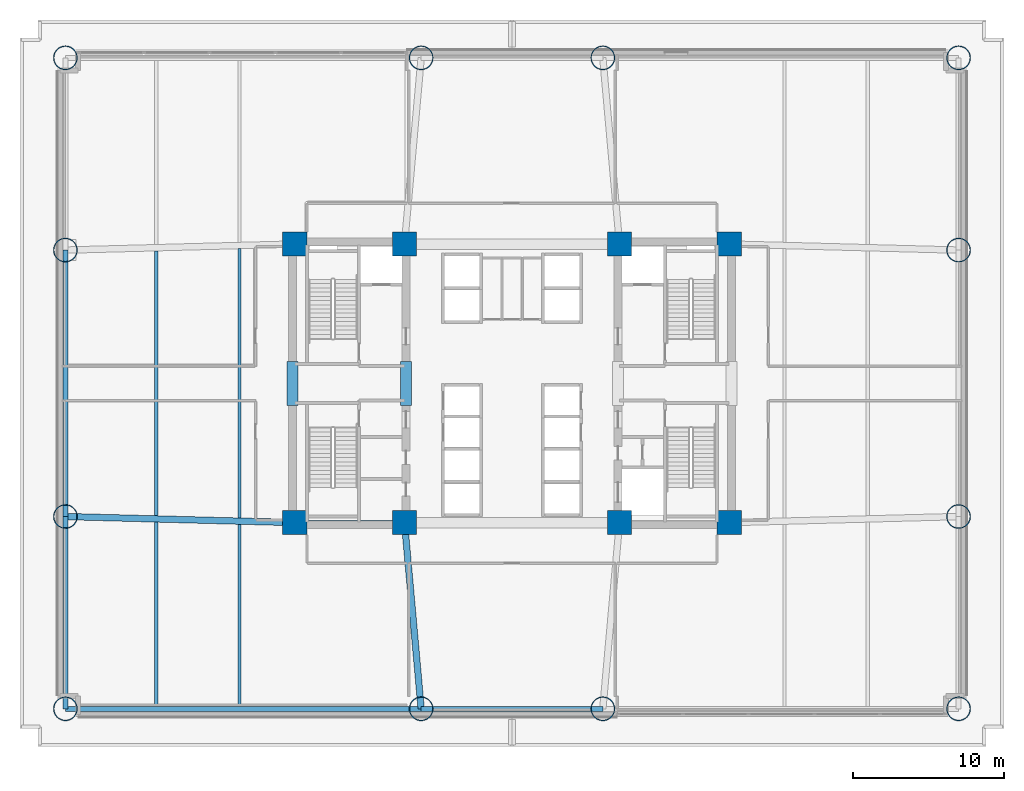
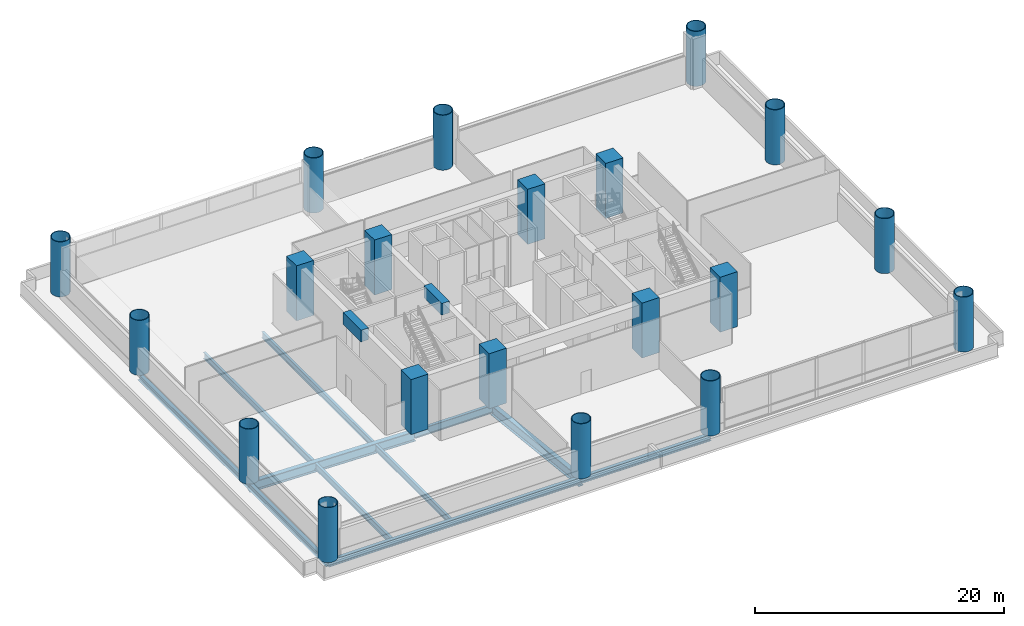
# One storey, part 1 of 12: 20 columns, 13 beams.
"""IFC4 building model written with IfcOpenShell, lengths in metres."""

from ifc_helpers import new_model, si_unit, direction, frame, origin, origin_2d, place, context, subcontext, project, spatial, rectangle, hollow_circle, i_section, extrude, source, transform, mapped, material, material_profile, profile_set, type_object, element, save


model = new_model("IFC4")

# Units and contexts
model_context = context("Model", 3, precision=1e-05, world=origin(), true_north=direction((0.0, 1.0)))
body_context = subcontext(model_context, "Body", "Model", "MODEL_VIEW")
ifc_project = project(units=[si_unit("LENGTHUNIT", "METRE"), si_unit("AREAUNIT", "SQUARE_METRE"), si_unit("VOLUMEUNIT", "CUBIC_METRE"), si_unit("PLANEANGLEUNIT", "RADIAN"), si_unit("MASSUNIT", "GRAM", prefix="KILO")], contexts=[model_context])

# Site, building, storey
site_placement = place(None, origin())
site = spatial("IfcSite", under=ifc_project, at=site_placement, CompositionType="ELEMENT")
building_placement = place(site_placement, origin())
building = spatial("IfcBuilding", under=site, at=building_placement, Name="Zahravan Cultural Tower", CompositionType="ELEMENT")
storey_placement = place(building_placement, frame((0.0, 0.0, 18.0)))
storey = spatial("IfcBuildingStorey", under=building, at=storey_placement, Name="L03", CompositionType="ELEMENT", Elevation=18.0)

# Columns
ifc_material_1 = material(Name="Concrete C60/75", Category="concrete")
ifc_material_profile_1 = material_profile(ifc_material_1, rectangle(XDim=1.60009765625, YDim=1.60009765625, at=origin_2d()), Name="RC1600X1600")
ifc_profile_set_1 = profile_set([ifc_material_profile_1], Name="Concrete C60/75")
column_type_1 = type_object("IfcColumnType", Name="COL-RC1600", PredefinedType="COLUMN", material=ifc_profile_set_1)
shared_shape_1 = source(origin(), body_context, "Body", "SweptSolid", [
    extrude(rectangle(XDim=1.60009765625, YDim=1.60009765625, at=origin_2d()), origin(), (0.0, 0.0, 1.0), 5.39990234375),
])
for number, where, z_axis, x_axis, name in (
    (1, (21.64990234375, 17.800048828125, 0.0), (0.0, 0.0, 1.0), (1.0, 0.0, 0.0), "L03 Column CC-W1"),
    (2, (28.89990234375, 17.800048828125, 0.0), (0.0, 0.0, 1.0), (1.0, 0.0, 0.0), "L03 Column CC-W2"),
    (3, (21.64990234375, 36.199951171875, 0.0), (0.0, 0.0, 1.0), (1.0, 0.0, 0.0), "L03 Column CC-W3"),
    (4, (28.89990234375, 36.199951171875, 0.0), (0.0, 0.0, 1.0), (1.0, 0.0, 0.0), "L03 Column CC-W4"),
    (5, (43.10009765625, 17.800048828125, 0.0), (0.0, 0.0, 1.0), (1.0, 0.0, 0.0), "L03 Column CC-E1"),
    (6, (50.35009765625, 17.800048828125, 0.0), (0.0, 0.0, 1.0), (1.0, 0.0, 0.0), "L03 Column CC-E2"),
    (7, (43.10009765625, 36.199951171875, 0.0), (0.0, 0.0, 1.0), (1.0, 0.0, 0.0), "L03 Column CC-E3"),
    (8, (50.35009765625, 36.199951171875, 0.0), (0.0, 0.0, 1.0), (1.0, 0.0, 0.0), "L03 Column CC-E4"),
):
    element("IfcColumn", number, at=place(storey_placement, frame(where, z_axis=z_axis, x_axis=x_axis)), inside=storey, type_object=column_type_1, Name=name, PredefinedType="COLUMN", context=body_context, shape_type="MappedRepresentation", body=[
        mapped(shared_shape_1, transform((0.0, 0.0, 0.0), x_axis=(1.0, 0.0, 0.0), y_axis=(0.0, 1.0, 0.0), z_axis=(0.0, 0.0, 1.0), scale=1.0)),
    ])
ifc_material_2 = material(Name="Steel ASTM A572 Grade 50", Category="steel")
ifc_material_profile_2 = material_profile(ifc_material_2, hollow_circle(Radius=0.800048828125, WallThickness=0.06005859375, at=origin_2d()), Name="CHS1600X60")
ifc_profile_set_2 = profile_set([ifc_material_profile_2], Name="Steel ASTM A572 Grade 50")
column_type_2 = type_object("IfcColumnType", Name="COL-STILT-1600", PredefinedType="COLUMN", material=ifc_profile_set_2)
shared_shape_2 = source(origin(), body_context, "Body", "SweptSolid", [
    extrude(hollow_circle(Radius=0.800048828125, WallThickness=0.06005859375, at=origin_2d()), origin(), (0.0, 0.0, 1.0), 5.39990234375),
])
for number, where, z_axis, x_axis, name in (
    (9, (6.5, 5.5, 0.0), (0.0, 0.0, 1.0), (1.0, 0.0, 0.0), "L03 Column PC-01"),
    (10, (30.0, 5.5, 0.0), (0.0, 0.0, 1.0), (1.0, 0.0, 0.0), "L03 Column PC-02"),
    (11, (42.0, 5.5, 0.0), (0.0, 0.0, 1.0), (1.0, 0.0, 0.0), "L03 Column PC-03"),
    (12, (65.5, 5.5, 0.0), (0.0, 0.0, 1.0), (1.0, 0.0, 0.0), "L03 Column PC-04"),
    (13, (6.5, 18.199951171875, 0.0), (0.0, 0.0, 1.0), (1.0, 0.0, 0.0), "L03 Column PC-05"),
    (14, (65.5, 18.199951171875, 0.0), (0.0, 0.0, 1.0), (1.0, 0.0, 0.0), "L03 Column PC-06"),
    (15, (6.5, 35.800048828125, 0.0), (0.0, 0.0, 1.0), (1.0, 0.0, 0.0), "L03 Column PC-07"),
    (16, (65.5, 35.800048828125, 0.0), (0.0, 0.0, 1.0), (1.0, 0.0, 0.0), "L03 Column PC-08"),
    (17, (6.5, 48.5, 0.0), (0.0, 0.0, 1.0), (1.0, 0.0, 0.0), "L03 Column PC-09"),
    (18, (30.0, 48.5, 0.0), (0.0, 0.0, 1.0), (1.0, 0.0, 0.0), "L03 Column PC-10"),
    (19, (42.0, 48.5, 0.0), (0.0, 0.0, 1.0), (1.0, 0.0, 0.0), "L03 Column PC-11"),
    (20, (65.5, 48.5, 0.0), (0.0, 0.0, 1.0), (1.0, 0.0, 0.0), "L03 Column PC-12"),
):
    element("IfcColumn", number, at=place(storey_placement, frame(where, z_axis=z_axis, x_axis=x_axis)), inside=storey, type_object=column_type_2, Name=name, PredefinedType="COLUMN", context=body_context, shape_type="MappedRepresentation", body=[
        mapped(shared_shape_2, transform((0.0, 0.0, 0.0), x_axis=(1.0, 0.0, 0.0), y_axis=(0.0, 1.0, 0.0), z_axis=(0.0, 0.0, 1.0), scale=1.0)),
    ])

# Beams
ifc_material_3 = material(Name="Concrete C50/60", Category="concrete")
ifc_material_profile_3 = material_profile(ifc_material_3, rectangle(XDim=0.699951171875, YDim=1.14990234375, at=origin_2d()), Name="RC700X1150")
ifc_profile_set_3 = profile_set([ifc_material_profile_3], Name="Concrete C50/60")
beam_type_1 = type_object("IfcBeamType", Name="BM-LN-RC700X1150", PredefinedType="LINTEL", material=ifc_profile_set_3)
shared_shape_3 = source(origin(), body_context, "Body", "SweptSolid", [
    extrude(rectangle(XDim=0.699951171875, YDim=1.14990234375, at=origin_2d()), origin(), (0.0, 0.0, 1.0), 2.89990234375),
])
for number, where, z_axis, x_axis, name in (
    (21, (21.5, 25.550048828125, 4.375), (0.0, 1.0, 0.0), (-1.0, 0.0, 0.0), "L03 Beam LN-L03-PWW"),
    (22, (29.0, 25.550048828125, 4.375), (0.0, 1.0, 0.0), (-1.0, 0.0, 0.0), "L03 Beam LN-L03-PWE"),
):
    element("IfcBeam", number, at=place(storey_placement, frame(where, z_axis=z_axis, x_axis=x_axis)), inside=storey, type_object=beam_type_1, Name=name, PredefinedType="LINTEL", context=body_context, shape_type="MappedRepresentation", body=[
        mapped(shared_shape_3, transform((0.0, 0.0, 0.0), x_axis=(1.0, 0.0, 0.0), y_axis=(0.0, 1.0, 0.0), z_axis=(0.0, 0.0, 1.0), scale=1.0)),
    ])
ifc_material_4 = material(Name="Steel ASTM A992 Grade 50", Category="steel")
ifc_material_profile_4 = material_profile(ifc_material_4, i_section(OverallWidth=0.26611328125, OverallDepth=0.780029296875, WebThickness=0.0166015625, FlangeThickness=0.030029296875, FilletRadius=0.01904296875, at=origin_2d()), Name="W30X148")
ifc_profile_set_4 = profile_set([ifc_material_profile_4], Name="Steel ASTM A992 Grade 50")
beam_type_2 = type_object("IfcBeamType", Name="BM-G-W30X148", PredefinedType="BEAM", material=ifc_profile_set_4)
shared_shape_4 = source(origin(), body_context, "Body", "SweptSolid", [
    extrude(i_section(OverallWidth=0.26611328125, OverallDepth=0.780029296875, WebThickness=0.0166015625, FlangeThickness=0.030029296875, FilletRadius=0.01904296875, at=origin_2d()), origin(), (0.0, 0.0, 1.0), 7.25),
])
beam_1_placement = place(storey_placement, frame((21.64990234375, 17.800048828125, -0.68994140625), z_axis=(1.0, 0.0, 0.0), x_axis=(0.0, 1.0, 0.0)))
element("IfcBeam", 23, at=beam_1_placement, inside=storey, type_object=beam_type_2, Name="L03 Beam BG-L03-01", PredefinedType="BEAM", context=body_context, shape_type="MappedRepresentation", body=[
    mapped(shared_shape_4, transform((0.0, 0.0, 0.0), x_axis=(1.0, 0.0, 0.0), y_axis=(0.0, 1.0, 0.0), z_axis=(0.0, 0.0, 1.0), scale=1.0)),
])
ifc_material_profile_5 = material_profile(ifc_material_4, i_section(OverallWidth=0.326904296875, OverallDepth=0.6220703125, WebThickness=0.015380859375, FlangeThickness=0.0244140625, FilletRadius=0.014892578125, at=origin_2d()), Name="W24X131")
ifc_profile_set_5 = profile_set([ifc_material_profile_5], Name="Steel ASTM A992 Grade 50")
beam_type_3 = type_object("IfcBeamType", Name="BM-SP-W24X131", PredefinedType="SPANDREL", material=ifc_profile_set_5)
shared_shape_5 = source(origin(), body_context, "Body", "SweptSolid", [
    extrude(i_section(OverallWidth=0.326904296875, OverallDepth=0.6220703125, WebThickness=0.015380859375, FlangeThickness=0.0244140625, FilletRadius=0.014892578125, at=origin_2d()), origin(), (0.0, 0.0, 1.0), 23.5),
])
beam_2_placement = place(storey_placement, frame((6.5, 5.5, -0.611083984375), z_axis=(1.0, 0.0, 0.0), x_axis=(0.0, 1.0, 0.0)))
element("IfcBeam", 24, at=beam_2_placement, inside=storey, type_object=beam_type_3, Name="L03 Beam BG-L03-07", PredefinedType="SPANDREL", context=body_context, shape_type="MappedRepresentation", body=[
    mapped(shared_shape_5, transform((0.0, 0.0, 0.0), x_axis=(1.0, 0.0, 0.0), y_axis=(0.0, 1.0, 0.0), z_axis=(0.0, 0.0, 1.0), scale=1.0)),
])
shared_shape_6 = source(origin(), body_context, "Body", "SweptSolid", [
    extrude(i_section(OverallWidth=0.326904296875, OverallDepth=0.6220703125, WebThickness=0.015380859375, FlangeThickness=0.0244140625, FilletRadius=0.014892578125, at=origin_2d()), origin(), (0.0, 0.0, 1.0), 12.0),
])
beam_3_placement = place(storey_placement, frame((30.0, 5.5, -0.611083984375), z_axis=(1.0, 0.0, 0.0), x_axis=(0.0, 1.0, 0.0)))
element("IfcBeam", 25, at=beam_3_placement, inside=storey, type_object=beam_type_3, Name="L03 Beam BG-L03-08", PredefinedType="SPANDREL", context=body_context, shape_type="MappedRepresentation", body=[
    mapped(shared_shape_6, transform((0.0, 0.0, 0.0), x_axis=(1.0, 0.0, 0.0), y_axis=(0.0, 1.0, 0.0), z_axis=(0.0, 0.0, 1.0), scale=1.0)),
])
shared_shape_7 = source(origin(), body_context, "Body", "SweptSolid", [
    extrude(i_section(OverallWidth=0.326904296875, OverallDepth=0.6220703125, WebThickness=0.015380859375, FlangeThickness=0.0244140625, FilletRadius=0.014892578125, at=origin_2d()), origin(), (0.0, 0.0, 1.0), 12.699951171875),
])
beam_4_placement = place(storey_placement, frame((6.5, 5.5, -0.611083984375), z_axis=(0.0, 1.0, 0.0), x_axis=(-1.0, 0.0, 0.0)))
element("IfcBeam", 26, at=beam_4_placement, inside=storey, type_object=beam_type_3, Name="L03 Beam BG-L03-13", PredefinedType="SPANDREL", context=body_context, shape_type="MappedRepresentation", body=[
    mapped(shared_shape_7, transform((0.0, 0.0, 0.0), x_axis=(1.0, 0.0, 0.0), y_axis=(0.0, 1.0, 0.0), z_axis=(0.0, 0.0, 1.0), scale=1.0)),
])
shared_shape_8 = source(origin(), body_context, "Body", "SweptSolid", [
    extrude(i_section(OverallWidth=0.326904296875, OverallDepth=0.6220703125, WebThickness=0.015380859375, FlangeThickness=0.0244140625, FilletRadius=0.014892578125, at=origin_2d()), origin(), (0.0, 0.0, 1.0), 17.60009765625),
])
beam_5_placement = place(storey_placement, frame((6.5, 18.199951171875, -0.611083984375), z_axis=(0.0, 1.0, 0.0), x_axis=(-1.0, 0.0, 0.0)))
element("IfcBeam", 27, at=beam_5_placement, inside=storey, type_object=beam_type_3, Name="L03 Beam BG-L03-14", PredefinedType="SPANDREL", context=body_context, shape_type="MappedRepresentation", body=[
    mapped(shared_shape_8, transform((0.0, 0.0, 0.0), x_axis=(1.0, 0.0, 0.0), y_axis=(0.0, 1.0, 0.0), z_axis=(0.0, 0.0, 1.0), scale=1.0)),
])
ifc_material_profile_6 = material_profile(ifc_material_4, i_section(OverallWidth=0.425048828125, OverallDepth=0.965087890625, WebThickness=0.0283203125, FlangeThickness=0.051025390625, FilletRadius=0.02392578125, at=origin_2d()), Name="W36X361")
ifc_profile_set_6 = profile_set([ifc_material_profile_6], Name="Steel ASTM A992 Grade 50")
beam_type_4 = type_object("IfcBeamType", Name="BM-G-W36X361", PredefinedType="BEAM", material=ifc_profile_set_6)
shared_shape_9 = source(origin(), body_context, "Body", "SweptSolid", [
    extrude(i_section(OverallWidth=0.425048828125, OverallDepth=0.965087890625, WebThickness=0.0283203125, FlangeThickness=0.051025390625, FilletRadius=0.02392578125, at=origin_2d()), origin(), (0.0, 0.0, 1.0), 15.1552734375),
])
beam_6_placement = place(storey_placement, frame((6.5, 18.199951171875, -0.782470703125), z_axis=(0.999651797923, -0.026387173188, 0.0), x_axis=(0.026387173188, 0.999651797923, 0.0)))
element("IfcBeam", 28, at=beam_6_placement, inside=storey, type_object=beam_type_4, Name="L03 Beam BG-L03-19", PredefinedType="BEAM", context=body_context, shape_type="MappedRepresentation", body=[
    mapped(shared_shape_9, transform((0.0, 0.0, 0.0), x_axis=(1.0, 0.0, 0.0), y_axis=(0.0, 1.0, 0.0), z_axis=(0.0, 0.0, 1.0), scale=1.0)),
])
shared_shape_10 = source(origin(), body_context, "Body", "SweptSolid", [
    extrude(i_section(OverallWidth=0.425048828125, OverallDepth=0.965087890625, WebThickness=0.0283203125, FlangeThickness=0.051025390625, FilletRadius=0.02392578125, at=origin_2d()), origin(), (0.0, 0.0, 1.0), 12.34912109375),
])
beam_7_placement = place(storey_placement, frame((30.0, 5.5, -0.782470703125), z_axis=(-0.089082890706, 0.996024215862, 0.0), x_axis=(-0.996024215862, -0.089082890706, 0.0)))
element("IfcBeam", 29, at=beam_7_placement, inside=storey, type_object=beam_type_4, Name="L03 Beam BG-L03-23", PredefinedType="BEAM", context=body_context, shape_type="MappedRepresentation", body=[
    mapped(shared_shape_10, transform((0.0, 0.0, 0.0), x_axis=(1.0, 0.0, 0.0), y_axis=(0.0, 1.0, 0.0), z_axis=(0.0, 0.0, 1.0), scale=1.0)),
])
ifc_material_profile_7 = material_profile(ifc_material_4, i_section(OverallWidth=0.22998046875, OverallDepth=0.616943359375, WebThickness=0.01318359375, FlangeThickness=0.022216796875, FilletRadius=0.014892578125, at=origin_2d()), Name="W24X94")
ifc_profile_set_7 = profile_set([ifc_material_profile_7], Name="Steel ASTM A992 Grade 50")
beam_type_5 = type_object("IfcBeamType", Name="BM-J-W24X94", PredefinedType="JOIST", material=ifc_profile_set_7)
shared_shape_11 = source(origin(), body_context, "Body", "SweptSolid", [
    extrude(i_section(OverallWidth=0.22998046875, OverallDepth=0.616943359375, WebThickness=0.01318359375, FlangeThickness=0.022216796875, FilletRadius=0.014892578125, at=origin_2d()), origin(), (0.0, 0.0, 1.0), 12.16357421875),
])
beam_8_placement = place(storey_placement, frame((12.5, 5.6650390625, -0.6083984375), z_axis=(0.0, 1.0, 0.0), x_axis=(-1.0, 0.0, 0.0)))
element("IfcBeam", 30, at=beam_8_placement, inside=storey, type_object=beam_type_5, Name="L03 Beam BJ-L03-27", PredefinedType="JOIST", context=body_context, shape_type="MappedRepresentation", body=[
    mapped(shared_shape_11, transform((0.0, 0.0, 0.0), x_axis=(1.0, 0.0, 0.0), y_axis=(0.0, 1.0, 0.0), z_axis=(0.0, 0.0, 1.0), scale=1.0)),
])
shared_shape_12 = source(origin(), body_context, "Body", "SweptSolid", [
    extrude(i_section(OverallWidth=0.22998046875, OverallDepth=0.616943359375, WebThickness=0.01318359375, FlangeThickness=0.022216796875, FilletRadius=0.014892578125, at=origin_2d()), origin(), (0.0, 0.0, 1.0), 17.49072265625),
])
beam_9_placement = place(storey_placement, frame((12.5, 18.254638671875, -0.6083984375), z_axis=(0.0, 1.0, 0.0), x_axis=(-1.0, 0.0, 0.0)))
element("IfcBeam", 31, at=beam_9_placement, inside=storey, type_object=beam_type_5, Name="L03 Beam BJ-L03-28", PredefinedType="JOIST", context=body_context, shape_type="MappedRepresentation", body=[
    mapped(shared_shape_12, transform((0.0, 0.0, 0.0), x_axis=(1.0, 0.0, 0.0), y_axis=(0.0, 1.0, 0.0), z_axis=(0.0, 0.0, 1.0), scale=1.0)),
])
shared_shape_13 = source(origin(), body_context, "Body", "SweptSolid", [
    extrude(i_section(OverallWidth=0.22998046875, OverallDepth=0.616943359375, WebThickness=0.01318359375, FlangeThickness=0.022216796875, FilletRadius=0.014892578125, at=origin_2d()), origin(), (0.0, 0.0, 1.0), 12.018310546875),
])
beam_10_placement = place(storey_placement, frame((18.0, 5.6650390625, -0.6083984375), z_axis=(0.0, 1.0, 0.0), x_axis=(-1.0, 0.0, 0.0)))
element("IfcBeam", 32, at=beam_10_placement, inside=storey, type_object=beam_type_5, Name="L03 Beam BJ-L03-30", PredefinedType="JOIST", context=body_context, shape_type="MappedRepresentation", body=[
    mapped(shared_shape_13, transform((0.0, 0.0, 0.0), x_axis=(1.0, 0.0, 0.0), y_axis=(0.0, 1.0, 0.0), z_axis=(0.0, 0.0, 1.0), scale=1.0)),
])
shared_shape_14 = source(origin(), body_context, "Body", "SweptSolid", [
    extrude(i_section(OverallWidth=0.22998046875, OverallDepth=0.616943359375, WebThickness=0.01318359375, FlangeThickness=0.022216796875, FilletRadius=0.014892578125, at=origin_2d()), origin(), (0.0, 0.0, 1.0), 17.78125),
])
beam_11_placement = place(storey_placement, frame((18.0, 18.109375, -0.6083984375), z_axis=(0.0, 1.0, 0.0), x_axis=(-1.0, 0.0, 0.0)))
element("IfcBeam", 33, at=beam_11_placement, inside=storey, type_object=beam_type_5, Name="L03 Beam BJ-L03-31", PredefinedType="JOIST", context=body_context, shape_type="MappedRepresentation", body=[
    mapped(shared_shape_14, transform((0.0, 0.0, 0.0), x_axis=(1.0, 0.0, 0.0), y_axis=(0.0, 1.0, 0.0), z_axis=(0.0, 0.0, 1.0), scale=1.0)),
])

save(model, "model.ifc")
